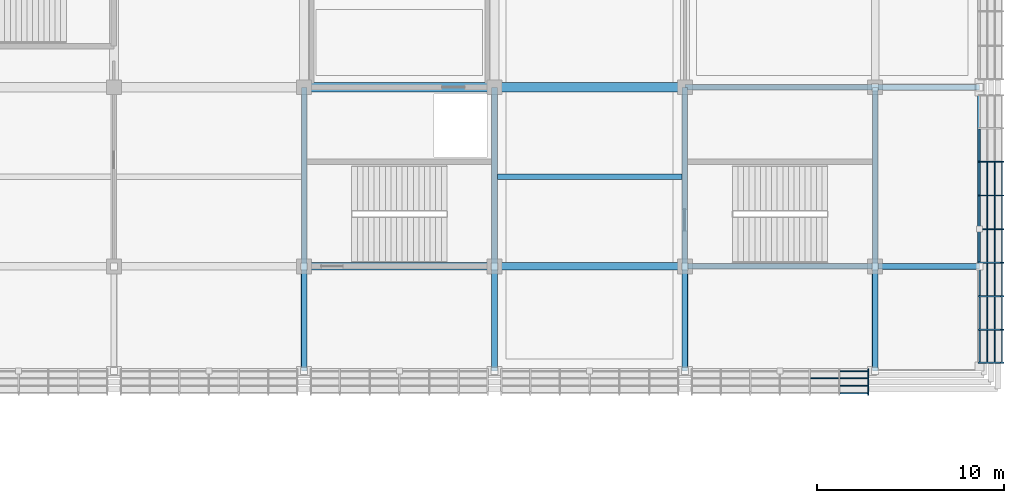
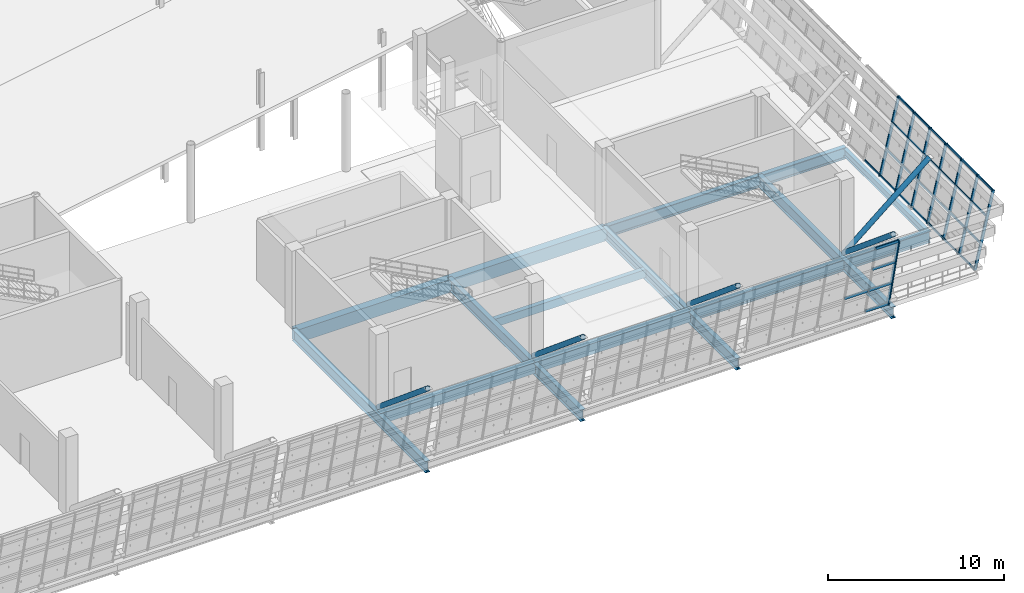
# One storey, part 61 of 175: 43 members, 12 beams, 2 elements without a shape of their own.
"""IFC4 building model written with IfcOpenShell, lengths in metres."""

from ifc_helpers import new_model, si_unit, direction, frame, origin, origin_2d, place, context, subcontext, project, spatial, rectangle, hollow_rectangle, hollow_circle, i_section, extrude, material, material_profile, profile_set, type_object, element, aggregate, save


model = new_model("IFC4")

# Units and contexts
model_context = context("Model", 3, precision=1e-05, world=origin(), true_north=direction((0.0, 1.0)))
body_context = subcontext(model_context, "Body", "Model", "MODEL_VIEW")
ifc_project = project(units=[si_unit("LENGTHUNIT", "METRE"), si_unit("AREAUNIT", "SQUARE_METRE"), si_unit("VOLUMEUNIT", "CUBIC_METRE"), si_unit("PLANEANGLEUNIT", "RADIAN"), si_unit("MASSUNIT", "GRAM", prefix="KILO")], contexts=[model_context])

# Site, building, storey
site_placement = place(None, origin())
site = spatial("IfcSite", under=ifc_project, at=site_placement, CompositionType="ELEMENT")
building_placement = place(site_placement, origin())
building = spatial("IfcBuilding", under=site, at=building_placement, Name="Brelvane Convention Centre", CompositionType="ELEMENT")
storey_placement = place(building_placement, frame((0.0, 0.0, 5.39990234375)))
storey = spatial("IfcBuildingStorey", under=building, at=storey_placement, Name="L01", CompositionType="ELEMENT", Elevation=5.39990234375)

# Curtain wall, member
ifc_material_1 = material(Name="Anodised Aluminium Alloy 6063-T6", Category="aluminium")
curtain_wall_type_1 = type_object("IfcCurtainWallType", Name="Curtain Wall CW-HULL-S", PredefinedType="USERDEFINED", material=ifc_material_1)
curtain_wall_1_placement = place(storey_placement, origin())
curtain_wall_1 = element("IfcCurtainWall", 1, at=curtain_wall_1_placement, inside=storey, type_object=curtain_wall_type_1, Name="Curtain Wall CW-HULL-S L01-HULL-S-L01-22", ObjectType="UNITISED", PredefinedType="USERDEFINED")
ifc_material_2 = material(Name="Anodised Aluminium Alloy 6063-T6", Category="aluminium")
ifc_material_profile_1 = material_profile(ifc_material_2, hollow_rectangle(XDim=0.080078125, YDim=0.239990234375, WallThickness=0.006103515625, InnerFilletRadius=0.006103515625, OuterFilletRadius=0.011962890625, at=origin_2d()), Name="ALU-M 240x80x6.0")
ifc_profile_set_1 = profile_set([ifc_material_profile_1], Name="Anodised Aluminium Alloy 6063-T6")
member_type_1 = type_object("IfcMemberType", Name="Curtain Mullion CW-M1", PredefinedType="MULLION", material=ifc_profile_set_1)
member_1_placement = place(storey_placement, frame((224.0400390625, 13.60009765625, 0.0), z_axis=(0.0, -0.228360162456, 0.973576723326), x_axis=(1.0, 0.0, 0.0)))
member_1 = element("IfcMember", 2, at=member_1_placement, type_object=member_type_1, Name="CW-HULL-S mullion 7", PredefinedType="MULLION", context=body_context, shape_type="SweptSolid", body=[
    extrude(hollow_rectangle(XDim=0.080078125, YDim=0.239990234375, WallThickness=0.006103515625, InnerFilletRadius=0.006103515625, OuterFilletRadius=0.011962890625, at=origin_2d()), origin(), (0.0, 0.0, 1.0), 5.2900390625),
])

# Curtain wall, members
ifc_material_3 = material(Name="Anodised Aluminium Alloy 6063-T6", Category="aluminium")
curtain_wall_type_2 = type_object("IfcCurtainWallType", Name="Curtain Wall CW-PLEN-E", PredefinedType="USERDEFINED", material=ifc_material_3)
curtain_wall_2_placement = place(storey_placement, origin())
curtain_wall_2 = element("IfcCurtainWall", 3, at=curtain_wall_2_placement, inside=storey, type_object=curtain_wall_type_2, Name="Curtain Wall CW-PLEN-E L01-HULL-E-L01-1", ObjectType="UNITISED", PredefinedType="USERDEFINED")
ifc_material_4 = material(Name="Anodised Aluminium Alloy 6063-T6", Category="aluminium")
ifc_material_profile_2 = material_profile(ifc_material_4, hollow_rectangle(XDim=0.074951171875, YDim=0.199951171875, WallThickness=0.0048828125, InnerFilletRadius=0.0048828125, OuterFilletRadius=0.010009765625, at=origin_2d()), Name="ALU-M 200x75x5.0")
ifc_profile_set_2 = profile_set([ifc_material_profile_2], Name="Anodised Aluminium Alloy 6063-T6")
member_type_2 = type_object("IfcMemberType", Name="Curtain Mullion CW-M2", PredefinedType="MULLION", material=ifc_profile_set_2)
member_2_placement = place(storey_placement, frame((230.0, 14.03759765625, 0.0), z_axis=(0.228360162456, 0.0, 0.973576723326), x_axis=(0.0, 1.0, 0.0)))
member_2 = element("IfcMember", 4, at=member_2_placement, type_object=member_type_2, Name="CW-PLEN-E mullion 1", PredefinedType="MULLION", context=body_context, shape_type="SweptSolid", body=[
    extrude(hollow_rectangle(XDim=0.074951171875, YDim=0.199951171875, WallThickness=0.0048828125, InnerFilletRadius=0.0048828125, OuterFilletRadius=0.010009765625, at=origin_2d()), origin(), (0.0, 0.0, 1.0), 5.2900390625),
])
member_3_placement = place(storey_placement, frame((230.0, 15.800048828125, 0.0), z_axis=(0.228360162456, 0.0, 0.973576723326), x_axis=(0.0, 1.0, 0.0)))
member_3 = element("IfcMember", 5, at=member_3_placement, type_object=member_type_2, Name="CW-PLEN-E mullion 2", PredefinedType="MULLION", context=body_context, shape_type="SweptSolid", body=[
    extrude(hollow_rectangle(XDim=0.074951171875, YDim=0.199951171875, WallThickness=0.0048828125, InnerFilletRadius=0.0048828125, OuterFilletRadius=0.010009765625, at=origin_2d()), origin(), (0.0, 0.0, 1.0), 5.2900390625),
])
member_4_placement = place(storey_placement, frame((230.0, 17.60009765625, 0.0), z_axis=(0.228360162456, 0.0, 0.973576723326), x_axis=(0.0, 1.0, 0.0)))
member_4 = element("IfcMember", 6, at=member_4_placement, type_object=member_type_2, Name="CW-PLEN-E mullion 3", PredefinedType="MULLION", context=body_context, shape_type="SweptSolid", body=[
    extrude(hollow_rectangle(XDim=0.074951171875, YDim=0.199951171875, WallThickness=0.0048828125, InnerFilletRadius=0.0048828125, OuterFilletRadius=0.010009765625, at=origin_2d()), origin(), (0.0, 0.0, 1.0), 5.2900390625),
])
member_5_placement = place(storey_placement, frame((230.0, 19.39990234375, 0.0), z_axis=(0.228360162456, 0.0, 0.973576723326), x_axis=(0.0, 1.0, 0.0)))
member_5 = element("IfcMember", 7, at=member_5_placement, type_object=member_type_2, Name="CW-PLEN-E mullion 4", PredefinedType="MULLION", context=body_context, shape_type="SweptSolid", body=[
    extrude(hollow_rectangle(XDim=0.074951171875, YDim=0.199951171875, WallThickness=0.0048828125, InnerFilletRadius=0.0048828125, OuterFilletRadius=0.010009765625, at=origin_2d()), origin(), (0.0, 0.0, 1.0), 5.2900390625),
])
member_6_placement = place(storey_placement, frame((230.0, 21.199951171875, 0.0), z_axis=(0.228360162456, 0.0, 0.973576723326), x_axis=(0.0, 1.0, 0.0)))
member_6 = element("IfcMember", 8, at=member_6_placement, type_object=member_type_2, Name="CW-PLEN-E mullion 5", PredefinedType="MULLION", context=body_context, shape_type="SweptSolid", body=[
    extrude(hollow_rectangle(XDim=0.074951171875, YDim=0.199951171875, WallThickness=0.0048828125, InnerFilletRadius=0.0048828125, OuterFilletRadius=0.010009765625, at=origin_2d()), origin(), (0.0, 0.0, 1.0), 5.2900390625),
])
member_7_placement = place(storey_placement, frame((230.0, 23.0, 0.0), z_axis=(0.228360162456, 0.0, 0.973576723326), x_axis=(0.0, 1.0, 0.0)))
member_7 = element("IfcMember", 9, at=member_7_placement, type_object=member_type_2, Name="CW-PLEN-E mullion 6", PredefinedType="MULLION", context=body_context, shape_type="SweptSolid", body=[
    extrude(hollow_rectangle(XDim=0.074951171875, YDim=0.199951171875, WallThickness=0.0048828125, InnerFilletRadius=0.0048828125, OuterFilletRadius=0.010009765625, at=origin_2d()), origin(), (0.0, 0.0, 1.0), 5.2900390625),
])
member_8_placement = place(storey_placement, frame((230.0, 24.800048828125, 0.0), z_axis=(0.228360162456, 0.0, 0.973576723326), x_axis=(0.0, 1.0, 0.0)))
member_8 = element("IfcMember", 10, at=member_8_placement, type_object=member_type_2, Name="CW-PLEN-E mullion 7", PredefinedType="MULLION", context=body_context, shape_type="SweptSolid", body=[
    extrude(hollow_rectangle(XDim=0.074951171875, YDim=0.199951171875, WallThickness=0.0048828125, InnerFilletRadius=0.0048828125, OuterFilletRadius=0.010009765625, at=origin_2d()), origin(), (0.0, 0.0, 1.0), 5.2900390625),
])

# Member
ifc_material_5 = material(Name="Anodised Aluminium Alloy 6063-T6", Category="aluminium")
ifc_material_profile_3 = material_profile(ifc_material_5, hollow_rectangle(XDim=0.080078125, YDim=0.179931640625, WallThickness=0.0048828125, InnerFilletRadius=0.0048828125, OuterFilletRadius=0.010009765625, at=origin_2d()), Name="ALU-T 180x80x5.0")
ifc_profile_set_3 = profile_set([ifc_material_profile_3], Name="Anodised Aluminium Alloy 6063-T6")
member_type_3 = type_object("IfcMemberType", Name="Curtain Transom CW-T1", PredefinedType="USERDEFINED", material=ifc_profile_set_3)
member_9_placement = place(storey_placement, frame((220.933349609375, 13.197265625, 1.716796875), z_axis=(1.0, 0.0, 0.0), x_axis=(0.0, 1.0, 0.0)))
member_9 = element("IfcMember", 11, at=member_9_placement, type_object=member_type_3, Name="CW-HULL-S transom 5.2", ObjectType="TRANSOM", PredefinedType="USERDEFINED", context=body_context, shape_type="SweptSolid", body=[
    extrude(hollow_rectangle(XDim=0.080078125, YDim=0.179931640625, WallThickness=0.0048828125, InnerFilletRadius=0.0048828125, OuterFilletRadius=0.010009765625, at=origin_2d()), origin(), (0.0, 0.0, 1.0), 1.513427734375),
])

member_10_placement = place(storey_placement, frame((222.526611328125, 13.590576171875, 0.0400390625), z_axis=(1.0, 0.0, 0.0), x_axis=(0.0, 1.0, 0.0)))
member_10 = element("IfcMember", 12, at=member_10_placement, type_object=member_type_3, Name="CW-HULL-S transom 6.1", ObjectType="TRANSOM", PredefinedType="USERDEFINED", context=body_context, shape_type="SweptSolid", body=[
    extrude(hollow_rectangle(XDim=0.080078125, YDim=0.179931640625, WallThickness=0.0048828125, InnerFilletRadius=0.0048828125, OuterFilletRadius=0.010009765625, at=origin_2d()), origin(), (0.0, 0.0, 1.0), 1.473388671875),
])

member_11_placement = place(storey_placement, frame((222.526611328125, 13.197265625, 1.716796875), z_axis=(1.0, 0.0, 0.0), x_axis=(0.0, 1.0, 0.0)))
member_11 = element("IfcMember", 13, at=member_11_placement, type_object=member_type_3, Name="CW-HULL-S transom 6.2", ObjectType="TRANSOM", PredefinedType="USERDEFINED", context=body_context, shape_type="SweptSolid", body=[
    extrude(hollow_rectangle(XDim=0.080078125, YDim=0.179931640625, WallThickness=0.0048828125, InnerFilletRadius=0.0048828125, OuterFilletRadius=0.010009765625, at=origin_2d()), origin(), (0.0, 0.0, 1.0), 1.473388671875),
])

member_12_placement = place(storey_placement, frame((222.526611328125, 12.794677734375, 3.433349609375), z_axis=(1.0, 0.0, 0.0), x_axis=(0.0, 1.0, 0.0)))
member_12 = element("IfcMember", 14, at=member_12_placement, type_object=member_type_3, Name="CW-HULL-S transom 6.3", ObjectType="TRANSOM", PredefinedType="USERDEFINED", context=body_context, shape_type="SweptSolid", body=[
    extrude(hollow_rectangle(XDim=0.080078125, YDim=0.179931640625, WallThickness=0.0048828125, InnerFilletRadius=0.0048828125, OuterFilletRadius=0.010009765625, at=origin_2d()), origin(), (0.0, 0.0, 1.0), 1.473388671875),
])

member_13_placement = place(storey_placement, frame((222.526611328125, 12.4013671875, 5.110107421875), z_axis=(1.0, 0.0, 0.0), x_axis=(0.0, 1.0, 0.0)))
member_13 = element("IfcMember", 15, at=member_13_placement, type_object=member_type_3, Name="CW-HULL-S transom 6.4", ObjectType="TRANSOM", PredefinedType="USERDEFINED", context=body_context, shape_type="SweptSolid", body=[
    extrude(hollow_rectangle(XDim=0.080078125, YDim=0.179931640625, WallThickness=0.0048828125, InnerFilletRadius=0.0048828125, OuterFilletRadius=0.010009765625, at=origin_2d()), origin(), (0.0, 0.0, 1.0), 1.473388671875),
])

aggregate(curtain_wall_1, [member_1, member_9, member_10, member_11, member_12, member_13])

ifc_material_6 = material(Name="Anodised Aluminium Alloy 6063-T6", Category="aluminium")
ifc_material_profile_4 = material_profile(ifc_material_6, hollow_rectangle(XDim=0.070068359375, YDim=0.14990234375, WallThickness=0.00439453125, InnerFilletRadius=0.00439453125, OuterFilletRadius=0.009033203125, at=origin_2d()), Name="ALU-T 150x70x4.5")
ifc_profile_set_4 = profile_set([ifc_material_profile_4], Name="Anodised Aluminium Alloy 6063-T6")
member_type_4 = type_object("IfcMemberType", Name="Curtain Transom CW-T2", PredefinedType="USERDEFINED", material=ifc_profile_set_4)
member_14_placement = place(storey_placement, frame((230.00830078125, 14.074951171875, 0.03515625), z_axis=(0.0, 1.0, 0.0), x_axis=(-1.0, 0.0, 0.0)))
member_14 = element("IfcMember", 16, at=member_14_placement, type_object=member_type_4, Name="CW-PLEN-E transom 1.1", ObjectType="TRANSOM", PredefinedType="USERDEFINED", context=body_context, shape_type="SweptSolid", body=[
    extrude(hollow_rectangle(XDim=0.070068359375, YDim=0.14990234375, WallThickness=0.00439453125, InnerFilletRadius=0.00439453125, OuterFilletRadius=0.009033203125, at=origin_2d()), origin(), (0.0, 0.0, 1.0), 1.6875),
])

member_15_placement = place(storey_placement, frame((230.402587890625, 14.074951171875, 1.716796875), z_axis=(0.0, 1.0, 0.0), x_axis=(-1.0, 0.0, 0.0)))
member_15 = element("IfcMember", 17, at=member_15_placement, type_object=member_type_4, Name="CW-PLEN-E transom 1.2", ObjectType="TRANSOM", PredefinedType="USERDEFINED", context=body_context, shape_type="SweptSolid", body=[
    extrude(hollow_rectangle(XDim=0.070068359375, YDim=0.14990234375, WallThickness=0.00439453125, InnerFilletRadius=0.00439453125, OuterFilletRadius=0.009033203125, at=origin_2d()), origin(), (0.0, 0.0, 1.0), 1.6875),
])

member_16_placement = place(storey_placement, frame((230.80517578125, 14.074951171875, 3.433349609375), z_axis=(0.0, 1.0, 0.0), x_axis=(-1.0, 0.0, 0.0)))
member_16 = element("IfcMember", 18, at=member_16_placement, type_object=member_type_4, Name="CW-PLEN-E transom 1.3", ObjectType="TRANSOM", PredefinedType="USERDEFINED", context=body_context, shape_type="SweptSolid", body=[
    extrude(hollow_rectangle(XDim=0.070068359375, YDim=0.14990234375, WallThickness=0.00439453125, InnerFilletRadius=0.00439453125, OuterFilletRadius=0.009033203125, at=origin_2d()), origin(), (0.0, 0.0, 1.0), 1.6875),
])

member_17_placement = place(storey_placement, frame((231.19970703125, 14.074951171875, 5.114990234375), z_axis=(0.0, 1.0, 0.0), x_axis=(-1.0, 0.0, 0.0)))
member_17 = element("IfcMember", 19, at=member_17_placement, type_object=member_type_4, Name="CW-PLEN-E transom 1.4", ObjectType="TRANSOM", PredefinedType="USERDEFINED", context=body_context, shape_type="SweptSolid", body=[
    extrude(hollow_rectangle(XDim=0.070068359375, YDim=0.14990234375, WallThickness=0.00439453125, InnerFilletRadius=0.00439453125, OuterFilletRadius=0.009033203125, at=origin_2d()), origin(), (0.0, 0.0, 1.0), 1.6875),
])

member_18_placement = place(storey_placement, frame((230.00830078125, 15.83740234375, 0.03515625), z_axis=(0.0, 1.0, 0.0), x_axis=(-1.0, 0.0, 0.0)))
member_18 = element("IfcMember", 20, at=member_18_placement, type_object=member_type_4, Name="CW-PLEN-E transom 2.1", ObjectType="TRANSOM", PredefinedType="USERDEFINED", context=body_context, shape_type="SweptSolid", body=[
    extrude(hollow_rectangle(XDim=0.070068359375, YDim=0.14990234375, WallThickness=0.00439453125, InnerFilletRadius=0.00439453125, OuterFilletRadius=0.009033203125, at=origin_2d()), origin(), (0.0, 0.0, 1.0), 1.72509765625),
])

member_19_placement = place(storey_placement, frame((230.402587890625, 15.83740234375, 1.716796875), z_axis=(0.0, 1.0, 0.0), x_axis=(-1.0, 0.0, 0.0)))
member_19 = element("IfcMember", 21, at=member_19_placement, type_object=member_type_4, Name="CW-PLEN-E transom 2.2", ObjectType="TRANSOM", PredefinedType="USERDEFINED", context=body_context, shape_type="SweptSolid", body=[
    extrude(hollow_rectangle(XDim=0.070068359375, YDim=0.14990234375, WallThickness=0.00439453125, InnerFilletRadius=0.00439453125, OuterFilletRadius=0.009033203125, at=origin_2d()), origin(), (0.0, 0.0, 1.0), 1.72509765625),
])

member_20_placement = place(storey_placement, frame((230.80517578125, 15.83740234375, 3.433349609375), z_axis=(0.0, 1.0, 0.0), x_axis=(-1.0, 0.0, 0.0)))
member_20 = element("IfcMember", 22, at=member_20_placement, type_object=member_type_4, Name="CW-PLEN-E transom 2.3", ObjectType="TRANSOM", PredefinedType="USERDEFINED", context=body_context, shape_type="SweptSolid", body=[
    extrude(hollow_rectangle(XDim=0.070068359375, YDim=0.14990234375, WallThickness=0.00439453125, InnerFilletRadius=0.00439453125, OuterFilletRadius=0.009033203125, at=origin_2d()), origin(), (0.0, 0.0, 1.0), 1.72509765625),
])

member_21_placement = place(storey_placement, frame((231.19970703125, 15.83740234375, 5.114990234375), z_axis=(0.0, 1.0, 0.0), x_axis=(-1.0, 0.0, 0.0)))
member_21 = element("IfcMember", 23, at=member_21_placement, type_object=member_type_4, Name="CW-PLEN-E transom 2.4", ObjectType="TRANSOM", PredefinedType="USERDEFINED", context=body_context, shape_type="SweptSolid", body=[
    extrude(hollow_rectangle(XDim=0.070068359375, YDim=0.14990234375, WallThickness=0.00439453125, InnerFilletRadius=0.00439453125, OuterFilletRadius=0.009033203125, at=origin_2d()), origin(), (0.0, 0.0, 1.0), 1.72509765625),
])

member_22_placement = place(storey_placement, frame((230.00830078125, 17.637451171875, 0.03515625), z_axis=(0.0, 1.0, 0.0), x_axis=(-1.0, 0.0, 0.0)))
member_22 = element("IfcMember", 24, at=member_22_placement, type_object=member_type_4, Name="CW-PLEN-E transom 3.1", ObjectType="TRANSOM", PredefinedType="USERDEFINED", context=body_context, shape_type="SweptSolid", body=[
    extrude(hollow_rectangle(XDim=0.070068359375, YDim=0.14990234375, WallThickness=0.00439453125, InnerFilletRadius=0.00439453125, OuterFilletRadius=0.009033203125, at=origin_2d()), origin(), (0.0, 0.0, 1.0), 1.72509765625),
])

member_23_placement = place(storey_placement, frame((230.402587890625, 17.637451171875, 1.716796875), z_axis=(0.0, 1.0, 0.0), x_axis=(-1.0, 0.0, 0.0)))
member_23 = element("IfcMember", 25, at=member_23_placement, type_object=member_type_4, Name="CW-PLEN-E transom 3.2", ObjectType="TRANSOM", PredefinedType="USERDEFINED", context=body_context, shape_type="SweptSolid", body=[
    extrude(hollow_rectangle(XDim=0.070068359375, YDim=0.14990234375, WallThickness=0.00439453125, InnerFilletRadius=0.00439453125, OuterFilletRadius=0.009033203125, at=origin_2d()), origin(), (0.0, 0.0, 1.0), 1.72509765625),
])

member_24_placement = place(storey_placement, frame((230.80517578125, 17.637451171875, 3.433349609375), z_axis=(0.0, 1.0, 0.0), x_axis=(-1.0, 0.0, 0.0)))
member_24 = element("IfcMember", 26, at=member_24_placement, type_object=member_type_4, Name="CW-PLEN-E transom 3.3", ObjectType="TRANSOM", PredefinedType="USERDEFINED", context=body_context, shape_type="SweptSolid", body=[
    extrude(hollow_rectangle(XDim=0.070068359375, YDim=0.14990234375, WallThickness=0.00439453125, InnerFilletRadius=0.00439453125, OuterFilletRadius=0.009033203125, at=origin_2d()), origin(), (0.0, 0.0, 1.0), 1.72509765625),
])

member_25_placement = place(storey_placement, frame((231.19970703125, 17.637451171875, 5.114990234375), z_axis=(0.0, 1.0, 0.0), x_axis=(-1.0, 0.0, 0.0)))
member_25 = element("IfcMember", 27, at=member_25_placement, type_object=member_type_4, Name="CW-PLEN-E transom 3.4", ObjectType="TRANSOM", PredefinedType="USERDEFINED", context=body_context, shape_type="SweptSolid", body=[
    extrude(hollow_rectangle(XDim=0.070068359375, YDim=0.14990234375, WallThickness=0.00439453125, InnerFilletRadius=0.00439453125, OuterFilletRadius=0.009033203125, at=origin_2d()), origin(), (0.0, 0.0, 1.0), 1.72509765625),
])

member_26_placement = place(storey_placement, frame((230.00830078125, 19.4375, 0.03515625), z_axis=(0.0, 1.0, 0.0), x_axis=(-1.0, 0.0, 0.0)))
member_26 = element("IfcMember", 28, at=member_26_placement, type_object=member_type_4, Name="CW-PLEN-E transom 4.1", ObjectType="TRANSOM", PredefinedType="USERDEFINED", context=body_context, shape_type="SweptSolid", body=[
    extrude(hollow_rectangle(XDim=0.070068359375, YDim=0.14990234375, WallThickness=0.00439453125, InnerFilletRadius=0.00439453125, OuterFilletRadius=0.009033203125, at=origin_2d()), origin(), (0.0, 0.0, 1.0), 1.72509765625),
])

member_27_placement = place(storey_placement, frame((230.402587890625, 19.4375, 1.716796875), z_axis=(0.0, 1.0, 0.0), x_axis=(-1.0, 0.0, 0.0)))
member_27 = element("IfcMember", 29, at=member_27_placement, type_object=member_type_4, Name="CW-PLEN-E transom 4.2", ObjectType="TRANSOM", PredefinedType="USERDEFINED", context=body_context, shape_type="SweptSolid", body=[
    extrude(hollow_rectangle(XDim=0.070068359375, YDim=0.14990234375, WallThickness=0.00439453125, InnerFilletRadius=0.00439453125, OuterFilletRadius=0.009033203125, at=origin_2d()), origin(), (0.0, 0.0, 1.0), 1.72509765625),
])

member_28_placement = place(storey_placement, frame((230.80517578125, 19.4375, 3.433349609375), z_axis=(0.0, 1.0, 0.0), x_axis=(-1.0, 0.0, 0.0)))
member_28 = element("IfcMember", 30, at=member_28_placement, type_object=member_type_4, Name="CW-PLEN-E transom 4.3", ObjectType="TRANSOM", PredefinedType="USERDEFINED", context=body_context, shape_type="SweptSolid", body=[
    extrude(hollow_rectangle(XDim=0.070068359375, YDim=0.14990234375, WallThickness=0.00439453125, InnerFilletRadius=0.00439453125, OuterFilletRadius=0.009033203125, at=origin_2d()), origin(), (0.0, 0.0, 1.0), 1.72509765625),
])

member_29_placement = place(storey_placement, frame((231.19970703125, 19.4375, 5.114990234375), z_axis=(0.0, 1.0, 0.0), x_axis=(-1.0, 0.0, 0.0)))
member_29 = element("IfcMember", 31, at=member_29_placement, type_object=member_type_4, Name="CW-PLEN-E transom 4.4", ObjectType="TRANSOM", PredefinedType="USERDEFINED", context=body_context, shape_type="SweptSolid", body=[
    extrude(hollow_rectangle(XDim=0.070068359375, YDim=0.14990234375, WallThickness=0.00439453125, InnerFilletRadius=0.00439453125, OuterFilletRadius=0.009033203125, at=origin_2d()), origin(), (0.0, 0.0, 1.0), 1.72509765625),
])

member_30_placement = place(storey_placement, frame((230.00830078125, 21.237548828125, 0.03515625), z_axis=(0.0, 1.0, 0.0), x_axis=(-1.0, 0.0, 0.0)))
member_30 = element("IfcMember", 32, at=member_30_placement, type_object=member_type_4, Name="CW-PLEN-E transom 5.1", ObjectType="TRANSOM", PredefinedType="USERDEFINED", context=body_context, shape_type="SweptSolid", body=[
    extrude(hollow_rectangle(XDim=0.070068359375, YDim=0.14990234375, WallThickness=0.00439453125, InnerFilletRadius=0.00439453125, OuterFilletRadius=0.009033203125, at=origin_2d()), origin(), (0.0, 0.0, 1.0), 1.724853515625),
])

member_31_placement = place(storey_placement, frame((230.402587890625, 21.237548828125, 1.716796875), z_axis=(0.0, 1.0, 0.0), x_axis=(-1.0, 0.0, 0.0)))
member_31 = element("IfcMember", 33, at=member_31_placement, type_object=member_type_4, Name="CW-PLEN-E transom 5.2", ObjectType="TRANSOM", PredefinedType="USERDEFINED", context=body_context, shape_type="SweptSolid", body=[
    extrude(hollow_rectangle(XDim=0.070068359375, YDim=0.14990234375, WallThickness=0.00439453125, InnerFilletRadius=0.00439453125, OuterFilletRadius=0.009033203125, at=origin_2d()), origin(), (0.0, 0.0, 1.0), 1.724853515625),
])

member_32_placement = place(storey_placement, frame((230.80517578125, 21.237548828125, 3.433349609375), z_axis=(0.0, 1.0, 0.0), x_axis=(-1.0, 0.0, 0.0)))
member_32 = element("IfcMember", 34, at=member_32_placement, type_object=member_type_4, Name="CW-PLEN-E transom 5.3", ObjectType="TRANSOM", PredefinedType="USERDEFINED", context=body_context, shape_type="SweptSolid", body=[
    extrude(hollow_rectangle(XDim=0.070068359375, YDim=0.14990234375, WallThickness=0.00439453125, InnerFilletRadius=0.00439453125, OuterFilletRadius=0.009033203125, at=origin_2d()), origin(), (0.0, 0.0, 1.0), 1.724853515625),
])

member_33_placement = place(storey_placement, frame((231.19970703125, 21.237548828125, 5.114990234375), z_axis=(0.0, 1.0, 0.0), x_axis=(-1.0, 0.0, 0.0)))
member_33 = element("IfcMember", 35, at=member_33_placement, type_object=member_type_4, Name="CW-PLEN-E transom 5.4", ObjectType="TRANSOM", PredefinedType="USERDEFINED", context=body_context, shape_type="SweptSolid", body=[
    extrude(hollow_rectangle(XDim=0.070068359375, YDim=0.14990234375, WallThickness=0.00439453125, InnerFilletRadius=0.00439453125, OuterFilletRadius=0.009033203125, at=origin_2d()), origin(), (0.0, 0.0, 1.0), 1.724853515625),
])

member_34_placement = place(storey_placement, frame((230.00830078125, 23.03759765625, 0.03515625), z_axis=(0.0, 1.0, 0.0), x_axis=(-1.0, 0.0, 0.0)))
member_34 = element("IfcMember", 36, at=member_34_placement, type_object=member_type_4, Name="CW-PLEN-E transom 6.1", ObjectType="TRANSOM", PredefinedType="USERDEFINED", context=body_context, shape_type="SweptSolid", body=[
    extrude(hollow_rectangle(XDim=0.070068359375, YDim=0.14990234375, WallThickness=0.00439453125, InnerFilletRadius=0.00439453125, OuterFilletRadius=0.009033203125, at=origin_2d()), origin(), (0.0, 0.0, 1.0), 1.724853515625),
])

member_35_placement = place(storey_placement, frame((230.402587890625, 23.03759765625, 1.716796875), z_axis=(0.0, 1.0, 0.0), x_axis=(-1.0, 0.0, 0.0)))
member_35 = element("IfcMember", 37, at=member_35_placement, type_object=member_type_4, Name="CW-PLEN-E transom 6.2", ObjectType="TRANSOM", PredefinedType="USERDEFINED", context=body_context, shape_type="SweptSolid", body=[
    extrude(hollow_rectangle(XDim=0.070068359375, YDim=0.14990234375, WallThickness=0.00439453125, InnerFilletRadius=0.00439453125, OuterFilletRadius=0.009033203125, at=origin_2d()), origin(), (0.0, 0.0, 1.0), 1.724853515625),
])

member_36_placement = place(storey_placement, frame((230.80517578125, 23.03759765625, 3.433349609375), z_axis=(0.0, 1.0, 0.0), x_axis=(-1.0, 0.0, 0.0)))
member_36 = element("IfcMember", 38, at=member_36_placement, type_object=member_type_4, Name="CW-PLEN-E transom 6.3", ObjectType="TRANSOM", PredefinedType="USERDEFINED", context=body_context, shape_type="SweptSolid", body=[
    extrude(hollow_rectangle(XDim=0.070068359375, YDim=0.14990234375, WallThickness=0.00439453125, InnerFilletRadius=0.00439453125, OuterFilletRadius=0.009033203125, at=origin_2d()), origin(), (0.0, 0.0, 1.0), 1.724853515625),
])

member_37_placement = place(storey_placement, frame((231.19970703125, 23.03759765625, 5.114990234375), z_axis=(0.0, 1.0, 0.0), x_axis=(-1.0, 0.0, 0.0)))
member_37 = element("IfcMember", 39, at=member_37_placement, type_object=member_type_4, Name="CW-PLEN-E transom 6.4", ObjectType="TRANSOM", PredefinedType="USERDEFINED", context=body_context, shape_type="SweptSolid", body=[
    extrude(hollow_rectangle(XDim=0.070068359375, YDim=0.14990234375, WallThickness=0.00439453125, InnerFilletRadius=0.00439453125, OuterFilletRadius=0.009033203125, at=origin_2d()), origin(), (0.0, 0.0, 1.0), 1.724853515625),
])

member_38_placement = place(storey_placement, frame((230.00830078125, 24.83740234375, 0.03515625), z_axis=(0.0, 1.0, 0.0), x_axis=(-1.0, 0.0, 0.0)))
member_38 = element("IfcMember", 40, at=member_38_placement, type_object=member_type_4, Name="CW-PLEN-E transom 7.1", ObjectType="TRANSOM", PredefinedType="USERDEFINED", context=body_context, shape_type="SweptSolid", body=[
    extrude(hollow_rectangle(XDim=0.070068359375, YDim=0.14990234375, WallThickness=0.00439453125, InnerFilletRadius=0.00439453125, OuterFilletRadius=0.009033203125, at=origin_2d()), origin(), (0.0, 0.0, 1.0), 1.72509765625),
])

aggregate(curtain_wall_2, [member_2, member_3, member_4, member_5, member_6, member_7, member_8, member_14, member_15, member_16, member_17, member_18, member_19, member_20, member_21, member_22, member_23, member_24, member_25, member_26, member_27, member_28, member_29, member_30, member_31, member_32, member_33, member_34, member_35, member_36, member_37, member_38])

# Beams
ifc_material_7 = material(Name="Concrete M40", Category="concrete")
ifc_material_profile_5 = material_profile(ifc_material_7, rectangle(XDim=0.5, YDim=0.89990234375, at=origin_2d()), Name="RC 500x900")
ifc_profile_set_5 = profile_set([ifc_material_profile_5], Name="Concrete M40")
beam_type_1 = type_object("IfcBeamType", Name="RC Beam B-RC4 (RC 500x900)", PredefinedType="BEAM", material=ifc_profile_set_5)
for number, where, z_axis, x_axis, name in (
    (41, (193.800048828125, 28.800048828125, -0.77001953125), (1.0, 0.0, 0.0), (0.0, 1.0, 0.0), "L01 Beam 20-21/D"),
    (42, (204.0, 28.800048828125, -0.77001953125), (1.0, 0.0, 0.0), (0.0, 1.0, 0.0), "L01 Beam 21-22/D"),
):
    element("IfcBeam", number, at=place(storey_placement, frame(where, z_axis=z_axis, x_axis=x_axis)), inside=storey, type_object=beam_type_1, Name=name, PredefinedType="BEAM", context=body_context, shape_type="SweptSolid", body=[
        extrude(rectangle(XDim=0.5, YDim=0.89990234375, at=origin_2d()), origin(), (0.0, 0.0, 1.0), 10.199951171875),
    ])
ifc_material_8 = material(Name="Concrete M40", Category="concrete")
ifc_material_profile_6 = material_profile(ifc_material_8, rectangle(XDim=0.300048828125, YDim=0.550048828125, at=origin_2d()), Name="RC 300x550")
ifc_profile_set_6 = profile_set([ifc_material_profile_6], Name="Concrete M40")
beam_type_2 = type_object("IfcBeamType", Name="RC Joist J-RC1 (RC 300x550)", PredefinedType="JOIST", material=ifc_profile_set_6)
beam_1_placement = place(storey_placement, frame((204.14990234375, 24.0, -0.594970703125), z_axis=(1.0, 0.0, 0.0), x_axis=(0.0, 1.0, 0.0)))
element("IfcBeam", 43, at=beam_1_placement, inside=storey, type_object=beam_type_2, Name="L01 Secondary Joist 21-22/CD", PredefinedType="JOIST", context=body_context, shape_type="SweptSolid", body=[
    extrude(rectangle(XDim=0.300048828125, YDim=0.550048828125, at=origin_2d()), origin(), (0.0, 0.0, 1.0), 9.900146484375),
])
ifc_material_9 = material(Name="Concrete M40", Category="concrete")
ifc_material_profile_7 = material_profile(ifc_material_9, rectangle(XDim=0.39990234375, YDim=0.75, at=origin_2d()), Name="RC 400x750")
ifc_profile_set_7 = profile_set([ifc_material_profile_7], Name="Concrete M40")
beam_type_3 = type_object("IfcBeamType", Name="RC Spandrel SP-RC1 (RC 400x750)", PredefinedType="SPANDREL", material=ifc_profile_set_7)
for number, where, z_axis, x_axis, name in (
    (44, (193.800048828125, 19.199951171875, -0.69482421875), (1.0, 0.0, 0.0), (0.0, 1.0, 0.0), "L01 Beam 20-21/C"),
    (45, (204.0, 19.199951171875, -0.69482421875), (1.0, 0.0, 0.0), (0.0, 1.0, 0.0), "L01 Beam 21-22/C"),
):
    element("IfcBeam", number, at=place(storey_placement, frame(where, z_axis=z_axis, x_axis=x_axis)), inside=storey, type_object=beam_type_3, Name=name, PredefinedType="SPANDREL", context=body_context, shape_type="SweptSolid", body=[
        extrude(rectangle(XDim=0.39990234375, YDim=0.75, at=origin_2d()), origin(), (0.0, 0.0, 1.0), 10.199951171875),
    ])
ifc_material_10 = material(Name="Steel E450 (450 MPa)", Category="steel")
ifc_material_profile_8 = material_profile(ifc_material_10, i_section(OverallWidth=0.300048828125, OverallDepth=0.800048828125, WebThickness=0.015380859375, FlangeThickness=0.030029296875, FilletRadius=0.027099609375, at=origin_2d()), Name="NPB 800x300")
ifc_profile_set_8 = profile_set([ifc_material_profile_8], Name="Steel E450 (450 MPa)")
beam_type_4 = type_object("IfcBeamType", Name="Steel Beam B-ST2 (NPB 800x300)", PredefinedType="BEAM", material=ifc_profile_set_8)
for number, where, z_axis, x_axis, name in (
    (46, (193.800048828125, 13.60009765625, -0.719970703125), (0.0, 1.0, 0.0), (-1.0, 0.0, 0.0), "L01 Hull Cantilever Girder 20"),
    (47, (204.0, 13.60009765625, -0.719970703125), (0.0, 1.0, 0.0), (-1.0, 0.0, 0.0), "L01 Hull Cantilever Girder 21"),
    (48, (214.199951171875, 13.60009765625, -0.719970703125), (0.0, 1.0, 0.0), (-1.0, 0.0, 0.0), "L01 Hull Cantilever Girder 22"),
    (49, (224.39990234375, 13.60009765625, -0.719970703125), (0.0, 1.0, 0.0), (-1.0, 0.0, 0.0), "L01 Hull Cantilever Girder 23"),
):
    element("IfcBeam", number, at=place(storey_placement, frame(where, z_axis=z_axis, x_axis=x_axis)), inside=storey, type_object=beam_type_4, Name=name, PredefinedType="BEAM", context=body_context, shape_type="SweptSolid", body=[
        extrude(i_section(OverallWidth=0.300048828125, OverallDepth=0.800048828125, WebThickness=0.015380859375, FlangeThickness=0.030029296875, FilletRadius=0.027099609375, at=origin_2d()), origin(), (0.0, 0.0, 1.0), 15.199951171875),
    ])
for number, where, z_axis, x_axis, name in (
    (50, (214.199951171875, 19.199951171875, -0.719970703125), (1.0, 0.0, 0.0), (0.0, 1.0, 0.0), "L01 Plenary East Cantilever Girder Y19"),
    (51, (214.199951171875, 28.800048828125, -0.719970703125), (1.0, 0.0, 0.0), (0.0, 1.0, 0.0), "L01 Plenary East Cantilever Girder Y28"),
):
    element("IfcBeam", number, at=place(storey_placement, frame(where, z_axis=z_axis, x_axis=x_axis)), inside=storey, type_object=beam_type_4, Name=name, PredefinedType="BEAM", context=body_context, shape_type="SweptSolid", body=[
        extrude(i_section(OverallWidth=0.300048828125, OverallDepth=0.800048828125, WebThickness=0.015380859375, FlangeThickness=0.030029296875, FilletRadius=0.027099609375, at=origin_2d()), origin(), (0.0, 0.0, 1.0), 15.800048828125),
    ])
ifc_material_11 = material(Name="Steel E350 (350 MPa)", Category="steel")
ifc_material_profile_9 = material_profile(ifc_material_11, i_section(OverallWidth=0.25, OverallDepth=0.5, WebThickness=0.010009765625, FlangeThickness=0.0146484375, FilletRadius=0.01611328125, at=origin_2d()), Name="ISWB 500")
ifc_profile_set_9 = profile_set([ifc_material_profile_9], Name="Steel E350 (350 MPa)")
beam_type_5 = type_object("IfcBeamType", Name="Steel Spandrel SP-ST1 (ISWB 500)", PredefinedType="SPANDREL", material=ifc_profile_set_9)
beam_2_placement = place(storey_placement, frame((230.0, 19.199951171875, -0.719970703125), z_axis=(0.0, 1.0, 0.0), x_axis=(-1.0, 0.0, 0.0)))
element("IfcBeam", 52, at=beam_2_placement, inside=storey, type_object=beam_type_5, Name="L01 Plenary Overhang Tip Spandrel 1", PredefinedType="SPANDREL", context=body_context, shape_type="SweptSolid", body=[
    extrude(i_section(OverallWidth=0.25, OverallDepth=0.5, WebThickness=0.010009765625, FlangeThickness=0.0146484375, FilletRadius=0.01611328125, at=origin_2d()), origin(), (0.0, 0.0, 1.0), 9.60009765625),
])

# Members
ifc_material_12 = material(Name="Steel E450 (450 MPa)", Category="steel")
ifc_material_profile_10 = material_profile(ifc_material_12, hollow_circle(Radius=0.161865234375, WallThickness=0.012451171875, at=origin_2d()), Name="CHS 323.9x12.5")
ifc_profile_set_10 = profile_set([ifc_material_profile_10], Name="Steel E450 (450 MPa)")
member_type_5 = type_object("IfcMemberType", Name="Steel Strut HS-ST2 (CHS 323.9x12.5)", PredefinedType="STRUT", material=ifc_profile_set_10)
for number, where, z_axis, x_axis, name in (
    (53, (193.800048828125, 19.199951171875, 0.050048828125), (0.0, -0.767976969641, 0.640477457918), (1.0, 0.0, 0.0), "Hull Overhang Raked Strut L01 V1-20"),
    (54, (204.0, 19.199951171875, 0.050048828125), (0.0, -0.767976969641, 0.640477457918), (1.0, 0.0, 0.0), "Hull Overhang Raked Strut L01 V1-21"),
    (55, (214.199951171875, 19.199951171875, 0.050048828125), (0.0, -0.767976969641, 0.640477457918), (1.0, 0.0, 0.0), "Hull Overhang Raked Strut L01 V1-22"),
    (56, (224.39990234375, 19.199951171875, 0.050048828125), (0.0, -0.767976969641, 0.640477457918), (1.0, 0.0, 0.0), "Hull Overhang Raked Strut L01 V1-23"),
):
    element("IfcMember", number, at=place(storey_placement, frame(where, z_axis=z_axis, x_axis=x_axis)), inside=storey, type_object=member_type_5, Name=name, PredefinedType="STRUT", context=body_context, shape_type="SweptSolid", body=[
        extrude(hollow_circle(Radius=0.161865234375, WallThickness=0.012451171875, at=origin_2d()), origin(), (0.0, 0.0, 1.0), 7.291748046875),
    ])
member_39_placement = place(storey_placement, frame((224.39990234375, 19.199951171875, 0.050048828125), z_axis=(0.767990703815, 0.0, 0.640460989331), x_axis=(0.0, 1.0, 0.0)))
element("IfcMember", 57, at=member_39_placement, inside=storey, type_object=member_type_5, Name="Plenary East Overhang Raked Strut L02 Y19", PredefinedType="STRUT", context=body_context, shape_type="SweptSolid", body=[
    extrude(hollow_circle(Radius=0.161865234375, WallThickness=0.012451171875, at=origin_2d()), origin(), (0.0, 0.0, 1.0), 7.2919921875),
])

save(model, "model.ifc")
